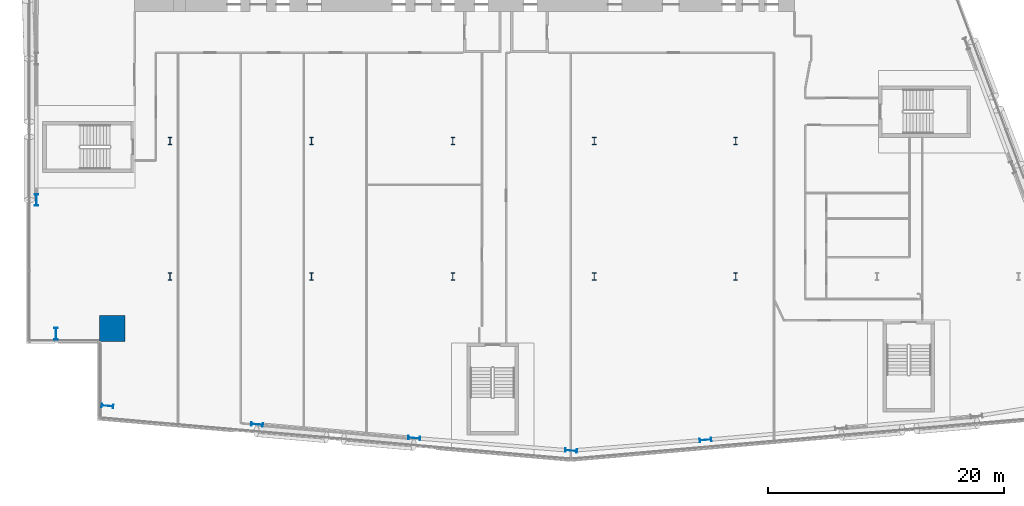
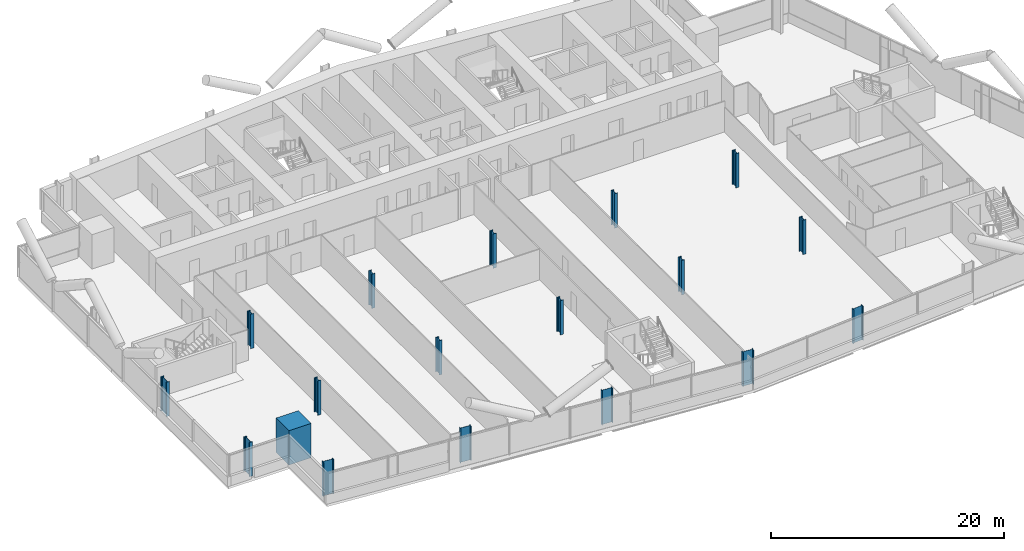
# One storey, part 1 of 25: 18 columns.
"""IFC4 building model written with IfcOpenShell, lengths in metres."""

from ifc_helpers import new_model, si_unit, direction, frame, origin, origin_2d, place, context, subcontext, project, spatial, rectangle, i_section, extrude, material, material_profile, profile_set, type_object, element, save


model = new_model("IFC4")

# Units and contexts
model_context = context("Model", 3, precision=1e-05, world=origin(), true_north=direction((0.0, 1.0)))
body_context = subcontext(model_context, "Body", "Model", "MODEL_VIEW")
ifc_project = project(units=[si_unit("LENGTHUNIT", "METRE"), si_unit("AREAUNIT", "SQUARE_METRE"), si_unit("VOLUMEUNIT", "CUBIC_METRE"), si_unit("PLANEANGLEUNIT", "RADIAN"), si_unit("MASSUNIT", "GRAM", prefix="KILO")], contexts=[model_context])

# Site, building, storey
site_placement = place(None, origin())
site = spatial("IfcSite", under=ifc_project, at=site_placement, CompositionType="ELEMENT")
building_placement = place(site_placement, origin())
building = spatial("IfcBuilding", under=site, at=building_placement, Name="Wharfspan Tower", CompositionType="ELEMENT")
storey_placement = place(building_placement, frame((0.0, 0.0, 63.100098)))
storey = spatial("IfcBuildingStorey", under=building, at=storey_placement, Name="L12", CompositionType="ELEMENT", Elevation=63.100098)

# Columns
ifc_material_1 = material(Name="Steel S355J2", Category="steel")
ifc_material_profile_1 = material_profile(ifc_material_1, i_section(OverallWidth=0.302002, OverallDepth=1.008057, WebThickness=0.020996, FlangeThickness=0.040039, FilletRadius=0.030029, at=origin_2d()))
ifc_profile_set_1 = profile_set([ifc_material_profile_1], Name="Steel S355J2")
column_type_1 = type_object("IfcColumnType", Name="Column HEM 1000", PredefinedType="COLUMN", material=ifc_profile_set_1)
for number, where, z_axis, x_axis, name in (
    (1, (6.694336, 0.528564, 0.0), (0.0, 0.0, 1.0), (-0.087156, -0.996198, 0.0), "Perimeter column PS1.1 L12"),
    (2, (19.390869, -1.033936, 0.0), (0.0, 0.0, 1.0), (-0.087156, -0.996198, 0.0), "Perimeter column PS1.2 L12"),
    (3, (32.724121, -2.200439, 0.0), (0.0, 0.0, 1.0), (-0.087156, -0.996198, 0.0), "Perimeter column PS1.3 L12"),
    (4, (46.04248, -3.268066, 0.0), (0.0, 0.0, 1.0), (-0.087156, -0.996198, 0.0), "Perimeter column PS1.4 L12"),
    (5, (57.442383, -2.36084, 0.0), (0.0, 0.0, 1.0), (0.087156, -0.996198, 0.0), "Perimeter column PS2.1 L12"),
    (6, (0.659912, 18.0, 0.0), (0.0, 0.0, 1.0), (-1.0, 0.0, 0.0), "Perimeter column PW.2 L12"),
    (7, (2.331787, 6.66748, 0.0), (0.0, 0.0, 1.0), (-1.0, 0.0, 0.0), "Perimeter column PW.3 L12"),
):
    element("IfcColumn", number, at=place(storey_placement, frame(where, z_axis=z_axis, x_axis=x_axis)), inside=storey, type_object=column_type_1, Name=name, PredefinedType="COLUMN", context=body_context, shape_type="SweptSolid", body=[
        extrude(i_section(OverallWidth=0.302002, OverallDepth=1.008057, WebThickness=0.020996, FlangeThickness=0.040039, FilletRadius=0.030029, at=origin_2d()), origin(), (0.0, 0.0, 1.0), 3.599854),
    ])
ifc_material_profile_2 = material_profile(ifc_material_1, i_section(OverallWidth=0.304932, OverallDepth=0.620117, WebThickness=0.020996, FlangeThickness=0.040039, FilletRadius=0.0271, at=origin_2d()))
ifc_profile_set_2 = profile_set([ifc_material_profile_2], Name="Steel S355J2")
column_type_2 = type_object("IfcColumnType", Name="Column HEM 600", PredefinedType="COLUMN", material=ifc_profile_set_2)
for number, where, z_axis, x_axis, name in (
    (8, (12.0, 11.5, 0.0), (0.0, 0.0, 1.0), (1.0, 0.0, 0.0), "Interior column I.1.1 L12"),
    (9, (24.0, 11.5, 0.0), (0.0, 0.0, 1.0), (1.0, 0.0, 0.0), "Interior column I.1.2 L12"),
    (10, (36.0, 11.5, 0.0), (0.0, 0.0, 1.0), (1.0, 0.0, 0.0), "Interior column I.1.3 L12"),
    (11, (48.0, 11.5, 0.0), (0.0, 0.0, 1.0), (1.0, 0.0, 0.0), "Interior column I.1.4 L12"),
    (12, (60.0, 11.5, 0.0), (0.0, 0.0, 1.0), (1.0, 0.0, 0.0), "Interior column I.1.5 L12"),
    (13, (12.0, 23.0, 0.0), (0.0, 0.0, 1.0), (1.0, 0.0, 0.0), "Interior column I.2.1 L12"),
    (14, (24.0, 23.0, 0.0), (0.0, 0.0, 1.0), (1.0, 0.0, 0.0), "Interior column I.2.2 L12"),
    (15, (36.0, 23.0, 0.0), (0.0, 0.0, 1.0), (1.0, 0.0, 0.0), "Interior column I.2.3 L12"),
    (16, (48.0, 23.0, 0.0), (0.0, 0.0, 1.0), (1.0, 0.0, 0.0), "Interior column I.2.4 L12"),
    (17, (60.0, 23.0, 0.0), (0.0, 0.0, 1.0), (1.0, 0.0, 0.0), "Interior column I.2.5 L12"),
):
    element("IfcColumn", number, at=place(storey_placement, frame(where, z_axis=z_axis, x_axis=x_axis)), inside=storey, type_object=column_type_2, Name=name, PredefinedType="COLUMN", context=body_context, shape_type="SweptSolid", body=[
        extrude(i_section(OverallWidth=0.304932, OverallDepth=0.620117, WebThickness=0.020996, FlangeThickness=0.040039, FilletRadius=0.0271, at=origin_2d()), origin(), (0.0, 0.0, 1.0), 3.599854),
    ])
ifc_material_2 = material(Name="Concrete C70/85", Category="concrete")
ifc_material_profile_3 = material_profile(ifc_material_2, rectangle(XDim=2.199951, YDim=2.199951, at=origin_2d()))
ifc_profile_set_3 = profile_set([ifc_material_profile_3], Name="Concrete C70/85")
column_type_3 = type_object("IfcColumnType", Name="Mega column 2200 C70/85", PredefinedType="COLUMN", material=ifc_profile_set_3)
column_placement = place(storey_placement, frame((7.100098, 7.100098, 0.0), z_axis=(0.0, 0.0, 1.0), x_axis=(1.0, 0.0, 0.0)))
element("IfcColumn", 18, at=column_placement, inside=storey, type_object=column_type_3, Name="Mega column MC1 L12", PredefinedType="COLUMN", context=body_context, shape_type="SweptSolid", body=[
    extrude(rectangle(XDim=2.199951, YDim=2.199951, at=origin_2d()), origin(), (0.0, 0.0, 1.0), 3.599854),
])

save(model, "model.ifc")
